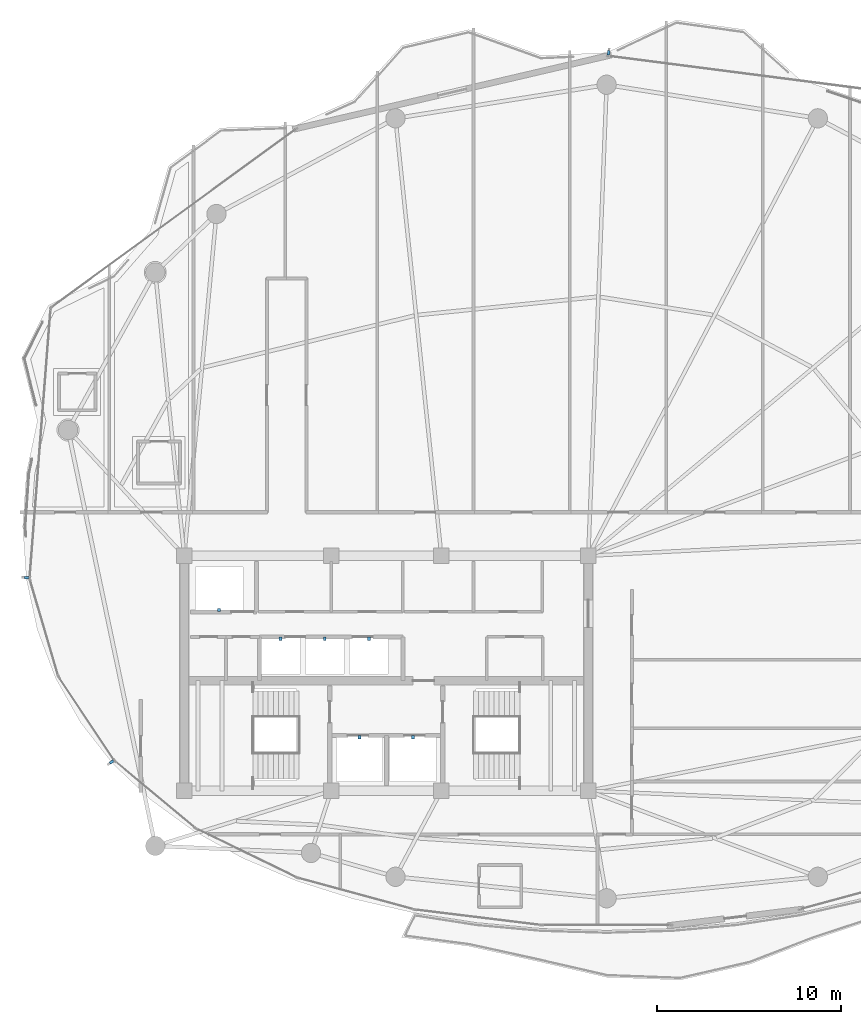
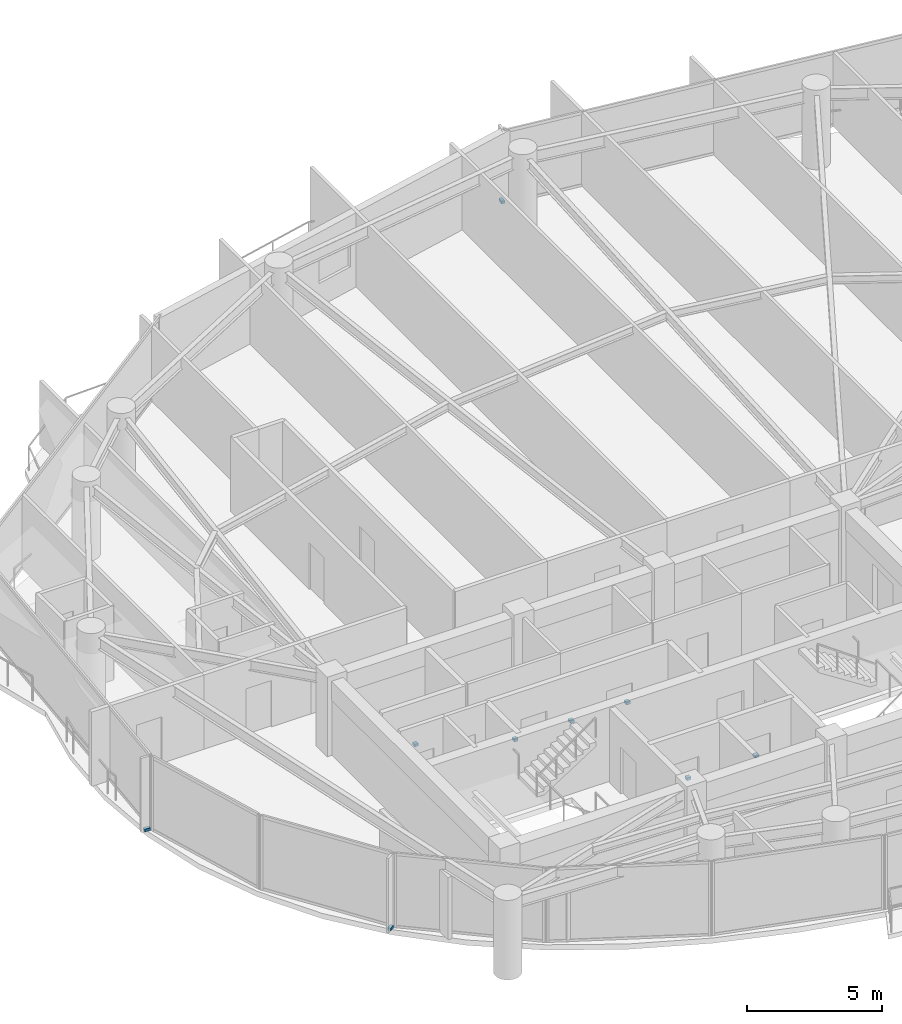
# One storey, part 28 of 31: 9 discrete accessories.
"""IFC4 building model written with IfcOpenShell, lengths in metres."""

from ifc_helpers import new_model, si_unit, direction, frame, origin, origin_2d, place, context, subcontext, project, spatial, rectangle, extrude, material, type_object, element, save


model = new_model("IFC4")

# Units and contexts
model_context = context("Model", 3, precision=1e-05, world=origin(), true_north=direction((0.0, 1.0)))
body_context = subcontext(model_context, "Body", "Model", "MODEL_VIEW")
ifc_project = project(units=[si_unit("LENGTHUNIT", "METRE"), si_unit("AREAUNIT", "SQUARE_METRE"), si_unit("VOLUMEUNIT", "CUBIC_METRE"), si_unit("PLANEANGLEUNIT", "RADIAN"), si_unit("MASSUNIT", "GRAM", prefix="KILO")], contexts=[model_context])

# Site, building, storey
site_placement = place(None, origin())
site = spatial("IfcSite", under=ifc_project, at=site_placement, CompositionType="ELEMENT")
building_placement = place(site_placement, origin())
building = spatial("IfcBuilding", under=site, at=building_placement, Name="Kazevale Care Tower and Concert Hall", CompositionType="ELEMENT")
storey_placement = place(building_placement, frame((0.0, 0.0, 238.800048828125)))
storey = spatial("IfcBuildingStorey", under=building, at=storey_placement, Name="L63", CompositionType="ELEMENT", Elevation=238.800048828125)

# Discrete accessories
ifc_material = material(Name="Stainless Steel 316", Category="steel")
discrete_accessory_type_1 = type_object("IfcDiscreteAccessoryType", Name="Facade Fin Stainless Anchor Bracket BRK-1", PredefinedType="BRACKET", material=ifc_material)
for number, where, z_axis, x_axis, name in (
    (1, (18.04443359375, 25.1689453125, 0.0), (0.0, 0.0, 1.0), (-0.832147748683, -0.554553986878, 0.0), "cw:L63:f11:brk"),
    (2, (13.41259765625, 35.210205078125, 0.0), (0.0, 0.0, 1.0), (-0.996985422604, 0.077589091471, 0.0), "cw:L63:f13:brk"),
    (3, (45.10546875, 63.785400390625, 0.0), (0.0, 0.0, 1.0), (0.128103248172, 0.991760837, 0.0), "cw:L63:f16:brk"),
):
    element("IfcDiscreteAccessory", number, at=place(storey_placement, frame(where, z_axis=z_axis, x_axis=x_axis)), inside=storey, type_object=discrete_accessory_type_1, Name=name, PredefinedType="BRACKET", context=body_context, shape_type="SweptSolid", body=[
        extrude(rectangle(XDim=0.239990234375, YDim=0.139892578125, at=origin_2d()), origin(), (0.0, 0.0, 1.0), 0.1201171875),
    ])
discrete_accessory_type_2 = type_object("IfcDiscreteAccessoryType", Name="Hoistway Guide-Rail Wall Bracket HBRK-1", PredefinedType="BRACKET", material=ifc_material)
for number, where, z_axis, x_axis, name in (
    (4, (31.550048828125, 26.52001953125, 1.239990234375), (0.0, 0.0, 1.0), (1.0, 0.0, 0.0), "hbrk:FFL-1:L63"),
    (5, (34.449951171875, 26.52001953125, 1.239990234375), (0.0, 0.0, 1.0), (1.0, 0.0, 0.0), "hbrk:FFL-2:L63"),
    (6, (23.89990234375, 33.449951171875, 1.239990234375), (0.0, 0.0, 1.0), (1.0, 0.0, 0.0), "hbrk:SVL-1:L63"),
    (7, (27.25, 31.8798828125, 1.239990234375), (0.0, 0.0, 1.0), (1.0, 0.0, 0.0), "hbrk:PH-1:L63"),
    (8, (29.64990234375, 31.8798828125, 1.239990234375), (0.0, 0.0, 1.0), (1.0, 0.0, 0.0), "hbrk:PH-2:L63"),
    (9, (32.050048828125, 31.8798828125, 1.239990234375), (0.0, 0.0, 1.0), (1.0, 0.0, 0.0), "hbrk:PH-3:L63"),
):
    element("IfcDiscreteAccessory", number, at=place(storey_placement, frame(where, z_axis=z_axis, x_axis=x_axis)), inside=storey, type_object=discrete_accessory_type_2, Name=name, PredefinedType="BRACKET", context=body_context, shape_type="SweptSolid", body=[
        extrude(rectangle(XDim=0.159912109375, YDim=0.179931640625, at=origin_2d()), origin(), (0.0, 0.0, 1.0), 0.1201171875),
    ])

save(model, "model.ifc")
